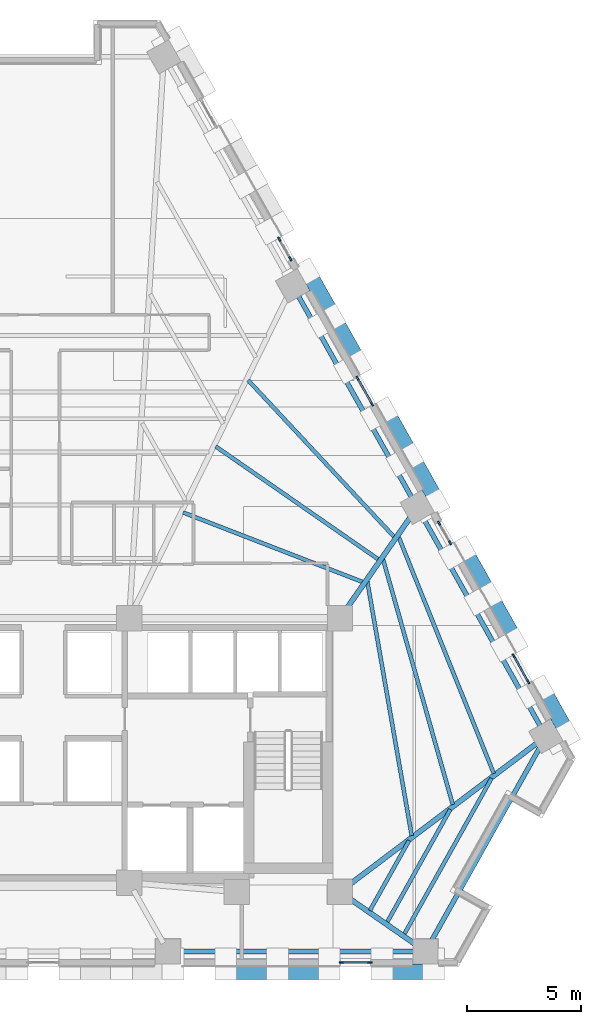
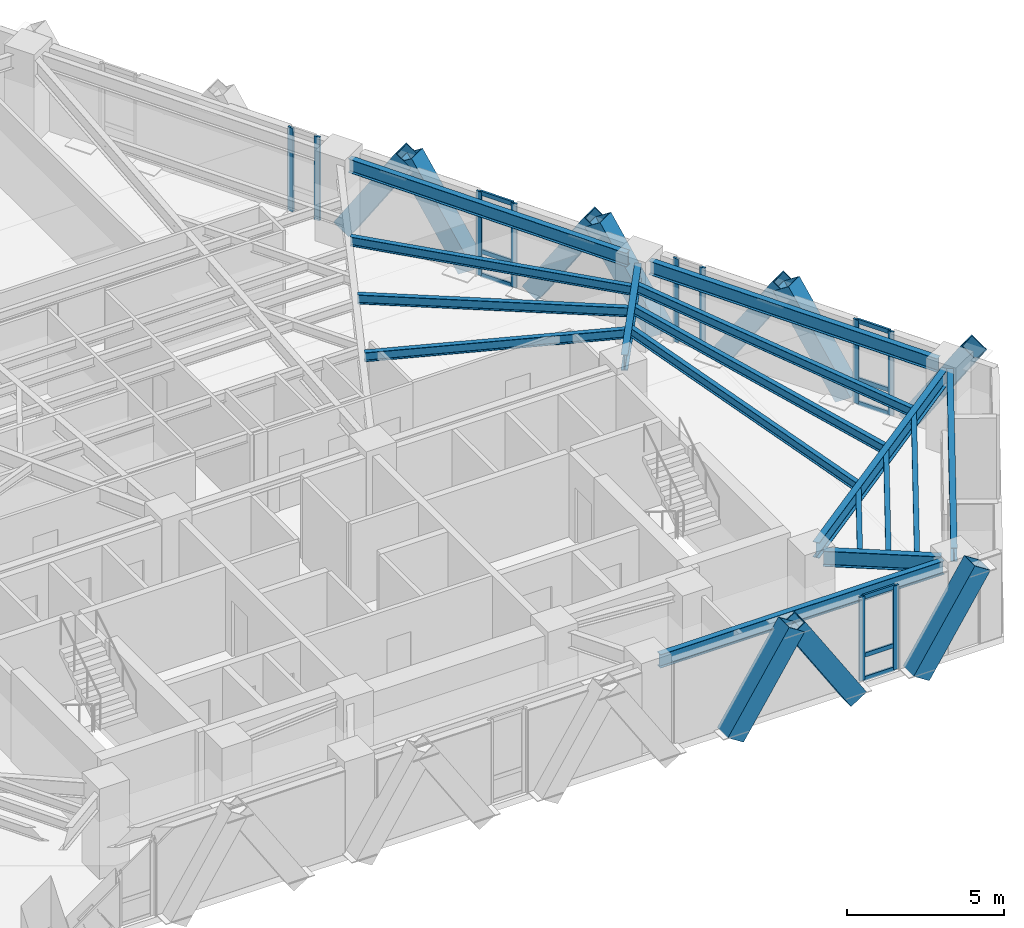
# One storey, part 4 of 13: 29 members, 16 beams, 5 elements without a shape of their own.
"""IFC4 building model written with IfcOpenShell, lengths in metres."""

from ifc_helpers import new_model, si_unit, direction, frame, origin, origin_2d, place, context, subcontext, project, spatial, rectangle, hollow_rectangle, i_section, extrude, material, material_profile, profile_set, type_object, element, aggregate, save


model = new_model("IFC4")

# Units and contexts
model_context = context("Model", 3, precision=1e-05, world=origin(), true_north=direction((0.0, 1.0)))
body_context = subcontext(model_context, "Body", "Model", "MODEL_VIEW")
ifc_project = project(units=[si_unit("LENGTHUNIT", "METRE"), si_unit("AREAUNIT", "SQUARE_METRE"), si_unit("VOLUMEUNIT", "CUBIC_METRE"), si_unit("PLANEANGLEUNIT", "RADIAN"), si_unit("MASSUNIT", "GRAM", prefix="KILO")], contexts=[model_context])

# Site, building, storey
site_placement = place(None, origin())
site = spatial("IfcSite", under=ifc_project, at=site_placement, CompositionType="ELEMENT")
building_placement = place(site_placement, origin())
building = spatial("IfcBuilding", under=site, at=building_placement, Name="Quenlor Broadcast Tower", CompositionType="ELEMENT")
storey_placement = place(building_placement, frame((0.0, 0.0, 83.60009765625)))
storey = spatial("IfcBuildingStorey", under=building, at=storey_placement, Name="L22", CompositionType="ELEMENT", Elevation=83.60009765625)

# Curtain wall, members
ifc_material_1 = material(Name="Architectural Terracotta and Low-E Glazing", Category="masonry")
curtain_wall_type = type_object("IfcCurtainWallType", Name="Unitised Terracotta Curtain Wall System Z2", PredefinedType="NOTDEFINED", material=ifc_material_1)
curtain_wall_1_placement = place(storey_placement, origin())
curtain_wall_1 = element("IfcCurtainWall", 1, at=curtain_wall_1_placement, inside=storey, type_object=curtain_wall_type, Name="L22 Curtain Wall CW2 (L22-SA-G1)", PredefinedType="NOTDEFINED")
ifc_material_2 = material(Name="Aluminium 6063-T6", Category="aluminium")
ifc_material_profile_1 = material_profile(ifc_material_2, rectangle(XDim=0.074951171875, YDim=0.199951171875, at=origin_2d()))
ifc_profile_set_1 = profile_set([ifc_material_profile_1], Name="Aluminium 6063-T6 MULL75x200")
member_type_1 = type_object("IfcMemberType", Name="CW2 Aluminium Mullion MULL_CW2", PredefinedType="MULLION", material=ifc_profile_set_1)
member_1_placement = place(storey_placement, frame((14.254150390625, -19.840087890625, 0.0), z_axis=(0.0, 0.0, 1.0), x_axis=(0.0, -1.0, 0.0)))
member_1 = element("IfcMember", 2, at=member_1_placement, type_object=member_type_1, Name="CW2 mullion 1", PredefinedType="MULLION", context=body_context, shape_type="SweptSolid", body=[
    extrude(rectangle(XDim=0.074951171875, YDim=0.199951171875, at=origin_2d()), origin(), (0.0, 0.0, 1.0), 3.25),
])
member_2_placement = place(storey_placement, frame((13.01611328125, -19.840087890625, 0.0), z_axis=(0.0, 0.0, 1.0), x_axis=(0.0, -1.0, 0.0)))
member_2 = element("IfcMember", 3, at=member_2_placement, type_object=member_type_1, Name="CW2 mullion 2", PredefinedType="MULLION", context=body_context, shape_type="SweptSolid", body=[
    extrude(rectangle(XDim=0.074951171875, YDim=0.199951171875, at=origin_2d()), origin(), (0.0, 0.0, 1.0), 3.25),
])

curtain_wall_2_placement = place(storey_placement, origin())
curtain_wall_2 = element("IfcCurtainWall", 4, at=curtain_wall_2_placement, inside=storey, type_object=curtain_wall_type, Name="L22 Curtain Wall CW2 (L22-NEA-G2)", PredefinedType="NOTDEFINED")
member_3_placement = place(storey_placement, frame((10.306396484375, 11.751220703125, 0.0), z_axis=(0.0, 0.0, 1.0), x_axis=(0.871580587336, 0.490252261371, 0.0)))
member_3 = element("IfcMember", 5, at=member_3_placement, type_object=member_type_1, Name="CW2 mullion 1", PredefinedType="MULLION", context=body_context, shape_type="SweptSolid", body=[
    extrude(rectangle(XDim=0.074951171875, YDim=0.199951171875, at=origin_2d()), origin(), (0.0, 0.0, 1.0), 3.25),
])
member_4_placement = place(storey_placement, frame((10.7880859375, 10.894775390625, 0.0), z_axis=(0.0, 0.0, 1.0), x_axis=(0.871580587336, 0.490252261371, 0.0)))
member_4 = element("IfcMember", 6, at=member_4_placement, type_object=member_type_1, Name="CW2 mullion 2", PredefinedType="MULLION", context=body_context, shape_type="SweptSolid", body=[
    extrude(rectangle(XDim=0.074951171875, YDim=0.199951171875, at=origin_2d()), origin(), (0.0, 0.0, 1.0), 3.25),
])
aggregate(curtain_wall_2, [member_3, member_4])

curtain_wall_3_placement = place(storey_placement, origin())
curtain_wall_3 = element("IfcCurtainWall", 7, at=curtain_wall_3_placement, inside=storey, type_object=curtain_wall_type, Name="L22 Curtain Wall CW2 (L22-NEC-G1)", PredefinedType="NOTDEFINED")
member_5_placement = place(storey_placement, frame((17.282958984375, -0.651611328125, 0.0), z_axis=(0.0, 0.0, 1.0), x_axis=(0.871580587336, 0.490252261371, 0.0)))
member_5 = element("IfcMember", 8, at=member_5_placement, type_object=member_type_1, Name="CW2 mullion 1", PredefinedType="MULLION", context=body_context, shape_type="SweptSolid", body=[
    extrude(rectangle(XDim=0.074951171875, YDim=0.199951171875, at=origin_2d()), origin(), (0.0, 0.0, 1.0), 3.25),
])
member_6_placement = place(storey_placement, frame((17.7646484375, -1.508056640625, 0.0), z_axis=(0.0, 0.0, 1.0), x_axis=(0.871580587336, 0.490252261371, 0.0)))
member_6 = element("IfcMember", 9, at=member_6_placement, type_object=member_type_1, Name="CW2 mullion 2", PredefinedType="MULLION", context=body_context, shape_type="SweptSolid", body=[
    extrude(rectangle(XDim=0.074951171875, YDim=0.199951171875, at=origin_2d()), origin(), (0.0, 0.0, 1.0), 3.25),
])
aggregate(curtain_wall_3, [member_5, member_6])

curtain_wall_4_placement = place(storey_placement, origin())
curtain_wall_4 = element("IfcCurtainWall", 10, at=curtain_wall_4_placement, inside=storey, type_object=curtain_wall_type, Name="L22 Curtain Wall CW2 (L22-NEC-G2)", PredefinedType="NOTDEFINED")
member_7_placement = place(storey_placement, frame((20.545654296875, -6.451904296875, 0.0), z_axis=(0.0, 0.0, 1.0), x_axis=(0.871565749621, 0.490278639232, 0.0)))
member_7 = element("IfcMember", 11, at=member_7_placement, type_object=member_type_1, Name="CW2 mullion 1", PredefinedType="MULLION", context=body_context, shape_type="SweptSolid", body=[
    extrude(rectangle(XDim=0.074951171875, YDim=0.199951171875, at=origin_2d()), origin(), (0.0, 0.0, 1.0), 3.25),
])
member_8_placement = place(storey_placement, frame((21.177734375, -7.57568359375, 0.0), z_axis=(0.0, 0.0, 1.0), x_axis=(0.871565749621, 0.490278639232, 0.0)))
member_8 = element("IfcMember", 12, at=member_8_placement, type_object=member_type_1, Name="CW2 mullion 2", PredefinedType="MULLION", context=body_context, shape_type="SweptSolid", body=[
    extrude(rectangle(XDim=0.074951171875, YDim=0.199951171875, at=origin_2d()), origin(), (0.0, 0.0, 1.0), 3.25),
])

curtain_wall_5_placement = place(storey_placement, origin())
curtain_wall_5 = element("IfcCurtainWall", 13, at=curtain_wall_5_placement, inside=storey, type_object=curtain_wall_type, Name="L22 Curtain Wall CW2 (L22-NE-G1)", PredefinedType="NOTDEFINED")
member_9_placement = place(storey_placement, frame((13.719482421875, 5.683349609375, 0.0), z_axis=(0.0, 0.0, 1.0), x_axis=(0.871579452423, 0.490254279037, 0.0)))
member_9 = element("IfcMember", 14, at=member_9_placement, type_object=member_type_1, Name="CW2 mullion 1", PredefinedType="MULLION", context=body_context, shape_type="SweptSolid", body=[
    extrude(rectangle(XDim=0.074951171875, YDim=0.199951171875, at=origin_2d()), origin(), (0.0, 0.0, 1.0), 3.25),
])
member_10_placement = place(storey_placement, frame((14.3515625, 4.559814453125, 0.0), z_axis=(0.0, 0.0, 1.0), x_axis=(0.871579452423, 0.490254279037, 0.0)))
member_10 = element("IfcMember", 15, at=member_10_placement, type_object=member_type_1, Name="CW2 mullion 2", PredefinedType="MULLION", context=body_context, shape_type="SweptSolid", body=[
    extrude(rectangle(XDim=0.074951171875, YDim=0.199951171875, at=origin_2d()), origin(), (0.0, 0.0, 1.0), 3.25),
])

# Member
ifc_material_3 = material(Name="Aluminium 6063-T6", Category="aluminium")
ifc_material_profile_2 = material_profile(ifc_material_3, rectangle(XDim=0.074951171875, YDim=0.1650390625, at=origin_2d()))
ifc_profile_set_2 = profile_set([ifc_material_profile_2], Name="Aluminium 6063-T6 TRAN75x165")
member_type_2 = type_object("IfcMemberType", Name="CW2 Aluminium Transom TRAN_CW2", PredefinedType="USERDEFINED", material=ifc_profile_set_2)
member_11_placement = place(storey_placement, frame((14.216796875, -19.840087890625, 0.037353515625), z_axis=(-1.0, 0.0, 0.0), x_axis=(0.0, -1.0, 0.0)))
member_11 = element("IfcMember", 16, at=member_11_placement, type_object=member_type_2, Name="CW2 transom 1.1", ObjectType="TRANSOM", PredefinedType="USERDEFINED", context=body_context, shape_type="SweptSolid", body=[
    extrude(rectangle(XDim=0.074951171875, YDim=0.1650390625, at=origin_2d()), origin(), (0.0, 0.0, 1.0), 1.1630859375),
])

member_12_placement = place(storey_placement, frame((14.216796875, -19.840087890625, 0.949951171875), z_axis=(-1.0, 0.0, 0.0), x_axis=(0.0, -1.0, 0.0)))
member_12 = element("IfcMember", 17, at=member_12_placement, type_object=member_type_2, Name="CW2 transom 1.2", ObjectType="TRANSOM", PredefinedType="USERDEFINED", context=body_context, shape_type="SweptSolid", body=[
    extrude(rectangle(XDim=0.074951171875, YDim=0.1650390625, at=origin_2d()), origin(), (0.0, 0.0, 1.0), 1.1630859375),
])

member_13_placement = place(storey_placement, frame((14.216796875, -19.840087890625, 3.21240234375), z_axis=(-1.0, 0.0, 0.0), x_axis=(0.0, -1.0, 0.0)))
member_13 = element("IfcMember", 18, at=member_13_placement, type_object=member_type_2, Name="CW2 transom 1.3", ObjectType="TRANSOM", PredefinedType="USERDEFINED", context=body_context, shape_type="SweptSolid", body=[
    extrude(rectangle(XDim=0.074951171875, YDim=0.1650390625, at=origin_2d()), origin(), (0.0, 0.0, 1.0), 1.1630859375),
])

aggregate(curtain_wall_1, [member_1, member_2, member_11, member_12, member_13])

member_14_placement = place(storey_placement, frame((20.56396484375, -6.484619140625, 0.037353515625), z_axis=(0.490347143438, -0.871527210661, 0.0), x_axis=(0.871527210661, 0.490347143438, 0.0)))
member_14 = element("IfcMember", 19, at=member_14_placement, type_object=member_type_2, Name="CW2 transom 1.1", ObjectType="TRANSOM", PredefinedType="USERDEFINED", context=body_context, shape_type="SweptSolid", body=[
    extrude(rectangle(XDim=0.074951171875, YDim=0.1650390625, at=origin_2d()), origin(), (0.0, 0.0, 1.0), 1.21435546875),
])

member_15_placement = place(storey_placement, frame((20.56396484375, -6.484619140625, 0.949951171875), z_axis=(0.490347143438, -0.871527210661, 0.0), x_axis=(0.871527210661, 0.490347143438, 0.0)))
member_15 = element("IfcMember", 20, at=member_15_placement, type_object=member_type_2, Name="CW2 transom 1.2", ObjectType="TRANSOM", PredefinedType="USERDEFINED", context=body_context, shape_type="SweptSolid", body=[
    extrude(rectangle(XDim=0.074951171875, YDim=0.1650390625, at=origin_2d()), origin(), (0.0, 0.0, 1.0), 1.21435546875),
])

member_16_placement = place(storey_placement, frame((20.56396484375, -6.484619140625, 3.21240234375), z_axis=(0.490347143438, -0.871527210661, 0.0), x_axis=(0.871527210661, 0.490347143438, 0.0)))
member_16 = element("IfcMember", 21, at=member_16_placement, type_object=member_type_2, Name="CW2 transom 1.3", ObjectType="TRANSOM", PredefinedType="USERDEFINED", context=body_context, shape_type="SweptSolid", body=[
    extrude(rectangle(XDim=0.074951171875, YDim=0.1650390625, at=origin_2d()), origin(), (0.0, 0.0, 1.0), 1.21435546875),
])

aggregate(curtain_wall_4, [member_7, member_8, member_14, member_15, member_16])

member_17_placement = place(storey_placement, frame((13.73779296875, 5.650634765625, 0.037353515625), z_axis=(0.490433072585, -0.871478858788, 0.0), x_axis=(0.871478858788, 0.490433072585, 0.0)))
member_17 = element("IfcMember", 22, at=member_17_placement, type_object=member_type_2, Name="CW2 transom 1.1", ObjectType="TRANSOM", PredefinedType="USERDEFINED", context=body_context, shape_type="SweptSolid", body=[
    extrude(rectangle(XDim=0.074951171875, YDim=0.1650390625, at=origin_2d()), origin(), (0.0, 0.0, 1.0), 1.214111328125),
])

member_18_placement = place(storey_placement, frame((13.73779296875, 5.650634765625, 0.949951171875), z_axis=(0.490433072585, -0.871478858788, 0.0), x_axis=(0.871478858788, 0.490433072585, 0.0)))
member_18 = element("IfcMember", 23, at=member_18_placement, type_object=member_type_2, Name="CW2 transom 1.2", ObjectType="TRANSOM", PredefinedType="USERDEFINED", context=body_context, shape_type="SweptSolid", body=[
    extrude(rectangle(XDim=0.074951171875, YDim=0.1650390625, at=origin_2d()), origin(), (0.0, 0.0, 1.0), 1.214111328125),
])

member_19_placement = place(storey_placement, frame((13.73779296875, 5.650634765625, 3.21240234375), z_axis=(0.490433072585, -0.871478858788, 0.0), x_axis=(0.871478858788, 0.490433072585, 0.0)))
member_19 = element("IfcMember", 24, at=member_19_placement, type_object=member_type_2, Name="CW2 transom 1.3", ObjectType="TRANSOM", PredefinedType="USERDEFINED", context=body_context, shape_type="SweptSolid", body=[
    extrude(rectangle(XDim=0.074951171875, YDim=0.1650390625, at=origin_2d()), origin(), (0.0, 0.0, 1.0), 1.214111328125),
])

aggregate(curtain_wall_5, [member_9, member_10, member_17, member_18, member_19])

# Members
ifc_material_4 = material(Name="Steel S355", Category="steel")
ifc_material_profile_3 = material_profile(ifc_material_4, hollow_rectangle(XDim=0.679931640625, YDim=0.679931640625, WallThickness=0.030029296875, at=origin_2d()))
ifc_profile_set_3 = profile_set([ifc_material_profile_3], Name="Steel S355 RHS680x680x30")
member_type_3 = type_object("IfcMemberType", Name="Perimeter Diagonal Lattice Brace Z2 Steel S355 RHS680x30", PredefinedType="BRACE", material=ifc_profile_set_3)
for number, where, z_axis, x_axis, name in (
    (25, (12.4853515625, -20.235107421875, -0.1201171875), (-0.539968035679, 0.0, 0.841685523485), (0.0, -1.0, 0.0), "L22 Perimeter Diamond Lattice S-C1S"),
    (26, (14.78515625, -20.235107421875, -0.1201171875), (0.539968035679, 0.0, 0.841685523485), (0.0, 1.0, 0.0), "L22 Perimeter Diamond Lattice S-C1B"),
    (27, (7.967529296875, -20.235107421875, -0.1201171875), (0.539968035679, 0.0, 0.841685523485), (0.0, 1.0, 0.0), "L22 Perimeter Diamond Lattice S-C2B"),
):
    element("IfcMember", number, at=place(storey_placement, frame(where, z_axis=z_axis, x_axis=x_axis)), inside=storey, type_object=member_type_3, Name=name, PredefinedType="BRACE", context=body_context, shape_type="SweptSolid", body=[
        extrude(hollow_rectangle(XDim=0.679931640625, YDim=0.679931640625, WallThickness=0.030029296875, at=origin_2d()), origin(), (0.0, 0.0, 1.0), 4.158203125),
    ])
member_20_placement = place(storey_placement, frame((11.54248046875, 10.359619140625, -0.1201171875), z_axis=(0.268634887212, -0.477637964099, 0.83647909276), x_axis=(0.871603971106, 0.490210686901, 0.0)))
element("IfcMember", 28, at=member_20_placement, inside=storey, type_object=member_type_3, Name="L22 Perimeter Diamond Lattice NE-C2S", PredefinedType="BRACE", context=body_context, shape_type="SweptSolid", body=[
    extrude(hollow_rectangle(XDim=0.679931640625, YDim=0.679931640625, WallThickness=0.030029296875, at=origin_2d()), origin(), (0.0, 0.0, 1.0), 4.184326171875),
])
for number, where, z_axis, x_axis, name in (
    (29, (14.955322265625, 4.291748046875, -0.1201171875), (0.268696511206, -0.477585438485, 0.836489290913), (0.871532878923, 0.490337068716, 0.0), "L22 Perimeter Diamond Lattice NE-C3S"),
    (30, (13.80419921875, 6.338623046875, -0.1201171875), (-0.268642373731, 0.477592925498, 0.83650240439), (-0.871578380919, -0.490256183964, 0.0), "L22 Perimeter Diamond Lattice NE-C3B"),
    (31, (18.368408203125, -1.77587890625, -0.1201171875), (0.268696511206, -0.477585438485, 0.836489290913), (0.871532878923, 0.490337068716, 0.0), "L22 Perimeter Diamond Lattice NE-C4S"),
    (32, (17.21728515625, 0.27099609375, -0.1201171875), (-0.268696511206, 0.477585438485, 0.836489290913), (-0.871532878923, -0.490337068716, 0.0), "L22 Perimeter Diamond Lattice NE-C4B"),
    (33, (21.781494140625, -7.843505859375, -0.1201171875), (0.268696511206, -0.477585438485, 0.836489290913), (0.871532878923, 0.490337068716, 0.0), "L22 Perimeter Diamond Lattice NE-C5S"),
    (34, (20.63037109375, -5.796630859375, -0.1201171875), (-0.268696511206, 0.477585438485, 0.836489290913), (-0.871532878923, -0.490337068716, 0.0), "L22 Perimeter Diamond Lattice NE-C5B"),
):
    element("IfcMember", number, at=place(storey_placement, frame(where, z_axis=z_axis, x_axis=x_axis)), inside=storey, type_object=member_type_3, Name=name, PredefinedType="BRACE", context=body_context, shape_type="SweptSolid", body=[
        extrude(hollow_rectangle(XDim=0.679931640625, YDim=0.679931640625, WallThickness=0.030029296875, at=origin_2d()), origin(), (0.0, 0.0, 1.0), 4.18408203125),
    ])

# Beams
ifc_material_5 = material(Name="Steel S355", Category="steel")
ifc_material_profile_4 = material_profile(ifc_material_5, i_section(OverallWidth=0.208984375, OverallDepth=0.5283203125, WebThickness=0.009521484375, FlangeThickness=0.01318359375, FilletRadius=0.013916015625, at=origin_2d()))
ifc_profile_set_4 = profile_set([ifc_material_profile_4], Name="Steel S355 530UB82.0")
beam_type_1 = type_object("IfcBeamType", Name="Perimeter Spandrel Beam Z2 Steel S355 530UB82.0", PredefinedType="SPANDREL", material=ifc_profile_set_4)
beam_1_placement = place(storey_placement, frame((5.853271484375, -19.35009765625, 2.98583984375), z_axis=(1.0, 0.0, 0.0), x_axis=(0.0, 1.0, 0.0)))
element("IfcBeam", 35, at=beam_1_placement, inside=storey, type_object=beam_type_1, Name="L22 Spandrel Beam S3-S4", PredefinedType="SPANDREL", context=body_context, shape_type="SweptSolid", body=[
    extrude(i_section(OverallWidth=0.208984375, OverallDepth=0.5283203125, WebThickness=0.009521484375, FlangeThickness=0.01318359375, FilletRadius=0.013916015625, at=origin_2d()), origin(), (0.0, 0.0, 1.0), 10.42919921875),
])
beam_2_placement = place(storey_placement, frame((16.892822265625, -18.9921875, 2.98583984375), z_axis=(0.488749102779, 0.872424389006, 0.0), x_axis=(-0.872424389006, 0.488749102779, 0.0)))
element("IfcBeam", 36, at=beam_2_placement, inside=storey, type_object=beam_type_1, Name="L22 Spandrel Beam S4-NE1", PredefinedType="SPANDREL", context=body_context, shape_type="SweptSolid", body=[
    extrude(i_section(OverallWidth=0.208984375, OverallDepth=0.5283203125, WebThickness=0.009521484375, FlangeThickness=0.01318359375, FilletRadius=0.013916015625, at=origin_2d()), origin(), (0.0, 0.0, 1.0), 9.947021484375),
])
beam_3_placement = place(storey_placement, frame((21.753662109375, -9.59912109375, 2.98583984375), z_axis=(-0.490263415828, 0.871574313011, 0.0), x_axis=(-0.871574313011, -0.490263415828, 0.0)))
element("IfcBeam", 37, at=beam_3_placement, inside=storey, type_object=beam_type_1, Name="L22 Spandrel Beam NE1-NE2", PredefinedType="SPANDREL", context=body_context, shape_type="SweptSolid", body=[
    extrude(i_section(OverallWidth=0.208984375, OverallDepth=0.5283203125, WebThickness=0.009521484375, FlangeThickness=0.01318359375, FilletRadius=0.013916015625, at=origin_2d()), origin(), (0.0, 0.0, 1.0), 10.65283203125),
])
beam_4_placement = place(storey_placement, frame((16.129150390625, 0.400146484375, 2.98583984375), z_axis=(-0.49026462139, 0.871573634878, 0.0), x_axis=(-0.871573634878, -0.49026462139, 0.0)))
element("IfcBeam", 38, at=beam_4_placement, inside=storey, type_object=beam_type_1, Name="L22 Spandrel Beam NE2-NE3", PredefinedType="SPANDREL", context=body_context, shape_type="SweptSolid", body=[
    extrude(i_section(OverallWidth=0.208984375, OverallDepth=0.5283203125, WebThickness=0.009521484375, FlangeThickness=0.01318359375, FilletRadius=0.013916015625, at=origin_2d()), origin(), (0.0, 0.0, 1.0), 10.28271484375),
])
ifc_material_6 = material(Name="Steel S355", Category="steel")
ifc_material_profile_5 = material_profile(ifc_material_6, i_section(OverallWidth=0.172119140625, OverallDepth=0.358642578125, WebThickness=0.008056640625, FlangeThickness=0.012939453125, FilletRadius=0.011474609375, at=origin_2d()))
ifc_profile_set_5 = profile_set([ifc_material_profile_5], Name="Steel S355 360UB56.7")
beam_type_2 = type_object("IfcBeamType", Name="Tower Composite Joist Z2-Z3 Steel S355 360UB56.7", PredefinedType="JOIST", material=ifc_profile_set_5)
beam_5_placement = place(storey_placement, frame((13.95703125, -3.221435546875, 3.070556640625), z_axis=(-0.932542579586, 0.361060018916, 0.0), x_axis=(-0.361060018916, -0.932542579586, 0.0)))
element("IfcBeam", 39, at=beam_5_placement, inside=storey, type_object=beam_type_2, Name="L22 Secondary Composite Joist 10", PredefinedType="JOIST", context=body_context, shape_type="SweptSolid", body=[
    extrude(i_section(OverallWidth=0.172119140625, OverallDepth=0.358642578125, WebThickness=0.008056640625, FlangeThickness=0.012939453125, FilletRadius=0.011474609375, at=origin_2d()), origin(), (0.0, 0.0, 1.0), 8.416259765625),
])
beam_6_placement = place(storey_placement, frame((14.641845703125, -2.236083984375, 3.070556640625), z_axis=(-0.821385737622, 0.570373097219, 0.0), x_axis=(-0.570373097219, -0.821385737622, 0.0)))
element("IfcBeam", 40, at=beam_6_placement, inside=storey, type_object=beam_type_2, Name="L22 Secondary Composite Joist 11", PredefinedType="JOIST", context=body_context, shape_type="SweptSolid", body=[
    extrude(i_section(OverallWidth=0.172119140625, OverallDepth=0.358642578125, WebThickness=0.008056640625, FlangeThickness=0.012939453125, FilletRadius=0.011474609375, at=origin_2d()), origin(), (0.0, 0.0, 1.0), 8.662109375),
])
beam_7_placement = place(storey_placement, frame((15.3291015625, -1.254638671875, 3.070556640625), z_axis=(-0.681880655944, 0.73146344478, 0.0), x_axis=(-0.73146344478, -0.681880655944, 0.0)))
element("IfcBeam", 41, at=beam_7_placement, inside=storey, type_object=beam_type_2, Name="L22 Secondary Composite Joist 12", PredefinedType="JOIST", context=body_context, shape_type="SweptSolid", body=[
    extrude(i_section(OverallWidth=0.172119140625, OverallDepth=0.358642578125, WebThickness=0.008056640625, FlangeThickness=0.012939453125, FilletRadius=0.011474609375, at=origin_2d()), origin(), (0.0, 0.0, 1.0), 9.365234375),
])
beam_8_placement = place(storey_placement, frame((16.087890625, -14.29345703125, 3.070556640625), z_axis=(-0.172120396521, 0.985075920476, 0.0), x_axis=(-0.985075920476, -0.172120396521, 0.0)))
element("IfcBeam", 42, at=beam_8_placement, inside=storey, type_object=beam_type_2, Name="L22 Secondary Composite Joist 16", PredefinedType="JOIST", context=body_context, shape_type="SweptSolid", body=[
    extrude(i_section(OverallWidth=0.172119140625, OverallDepth=0.358642578125, WebThickness=0.008056640625, FlangeThickness=0.012939453125, FilletRadius=0.011474609375, at=origin_2d()), origin(), (0.0, 0.0, 1.0), 11.27783203125),
])
beam_9_placement = place(storey_placement, frame((17.880615234375, -12.9365234375, 3.070556640625), z_axis=(-0.273563993601, 0.96185380459, 0.0), x_axis=(-0.96185380459, -0.273563993601, 0.0)))
element("IfcBeam", 43, at=beam_9_placement, inside=storey, type_object=beam_type_2, Name="L22 Secondary Composite Joist 17", PredefinedType="JOIST", context=body_context, shape_type="SweptSolid", body=[
    extrude(i_section(OverallWidth=0.172119140625, OverallDepth=0.358642578125, WebThickness=0.008056640625, FlangeThickness=0.012939453125, FilletRadius=0.011474609375, at=origin_2d()), origin(), (0.0, 0.0, 1.0), 11.1484375),
])
beam_10_placement = place(storey_placement, frame((19.673583984375, -11.580810546875, 3.070556640625), z_axis=(-0.373180395983, 0.92775880058, 0.0), x_axis=(-0.92775880058, -0.373180395983, 0.0)))
element("IfcBeam", 44, at=beam_10_placement, inside=storey, type_object=beam_type_2, Name="L22 Secondary Composite Joist 18", PredefinedType="JOIST", context=body_context, shape_type="SweptSolid", body=[
    extrude(i_section(OverallWidth=0.172119140625, OverallDepth=0.358642578125, WebThickness=0.008056640625, FlangeThickness=0.012939453125, FilletRadius=0.011474609375, at=origin_2d()), origin(), (0.0, 0.0, 1.0), 11.143798828125),
])
beam_11_placement = place(storey_placement, frame((14.261474609375, -17.564208984375, 3.070556640625), z_axis=(0.488730779643, 0.87243465373, 0.0), x_axis=(-0.87243465373, 0.488730779643, 0.0)))
element("IfcBeam", 45, at=beam_11_placement, inside=storey, type_object=beam_type_2, Name="L22 Secondary Composite Joist 22", PredefinedType="JOIST", context=body_context, shape_type="SweptSolid", body=[
    extrude(i_section(OverallWidth=0.172119140625, OverallDepth=0.358642578125, WebThickness=0.008056640625, FlangeThickness=0.012939453125, FilletRadius=0.011474609375, at=origin_2d()), origin(), (0.0, 0.0, 1.0), 3.500732421875),
])
beam_12_placement = place(storey_placement, frame((15.010009765625, -18.084228515625, 3.070556640625), z_axis=(0.488741419435, 0.87242869332, 0.0), x_axis=(-0.87242869332, 0.488741419435, 0.0)))
element("IfcBeam", 46, at=beam_12_placement, inside=storey, type_object=beam_type_2, Name="L22 Secondary Composite Joist 23", PredefinedType="JOIST", context=body_context, shape_type="SweptSolid", body=[
    extrude(i_section(OverallWidth=0.172119140625, OverallDepth=0.358642578125, WebThickness=0.008056640625, FlangeThickness=0.012939453125, FilletRadius=0.011474609375, at=origin_2d()), origin(), (0.0, 0.0, 1.0), 5.654052734375),
])
beam_13_placement = place(storey_placement, frame((15.758544921875, -18.604248046875, 3.070556640625), z_axis=(0.488732857155, 0.872433489922, 0.0), x_axis=(-0.872433489922, 0.488732857155, 0.0)))
element("IfcBeam", 47, at=beam_13_placement, inside=storey, type_object=beam_type_2, Name="L22 Secondary Composite Joist 24", PredefinedType="JOIST", context=body_context, shape_type="SweptSolid", body=[
    extrude(i_section(OverallWidth=0.172119140625, OverallDepth=0.358642578125, WebThickness=0.008056640625, FlangeThickness=0.012939453125, FilletRadius=0.011474609375, at=origin_2d()), origin(), (0.0, 0.0, 1.0), 7.807861328125),
])
ifc_material_7 = material(Name="Steel S355", Category="steel")
ifc_material_profile_6 = material_profile(ifc_material_7, i_section(OverallWidth=0.22802734375, OverallDepth=0.60205078125, WebThickness=0.010498046875, FlangeThickness=0.014892578125, FilletRadius=0.013916015625, at=origin_2d()))
ifc_profile_set_6 = profile_set([ifc_material_profile_6], Name="Steel S355 610UB101")
beam_type_3 = type_object("IfcBeamType", Name="Tower Primary Floor Beam Z2 Steel S355 610UB101", PredefinedType="BEAM", material=ifc_profile_set_6)
beam_14_placement = place(storey_placement, frame((16.355712890625, -19.1162109375, 2.948974609375), z_axis=(-0.821227395059, 0.570601056436, 0.0), x_axis=(-0.570601056436, -0.821227395059, 0.0)))
element("IfcBeam", 48, at=beam_14_placement, inside=storey, type_object=beam_type_3, Name="L22 Primary Radial Beam S4", PredefinedType="BEAM", context=body_context, shape_type="SweptSolid", body=[
    extrude(i_section(OverallWidth=0.22802734375, OverallDepth=0.60205078125, WebThickness=0.010498046875, FlangeThickness=0.014892578125, FilletRadius=0.013916015625, at=origin_2d()), origin(), (0.0, 0.0, 1.0), 3.766845703125),
])
beam_15_placement = place(storey_placement, frame((21.62744140625, -10.203369140625, 2.948974609375), z_axis=(-0.798298724007, -0.602261693327, 0.0), x_axis=(0.602261693327, -0.798298724007, 0.0)))
element("IfcBeam", 49, at=beam_15_placement, inside=storey, type_object=beam_type_3, Name="L22 Primary Radial Beam NE1", PredefinedType="BEAM", context=body_context, shape_type="SweptSolid", body=[
    extrude(i_section(OverallWidth=0.22802734375, OverallDepth=0.60205078125, WebThickness=0.010498046875, FlangeThickness=0.014892578125, FilletRadius=0.013916015625, at=origin_2d()), origin(), (0.0, 0.0, 1.0), 10.48974609375),
])
beam_16_placement = place(storey_placement, frame((16.095458984375, -0.293212890625, 2.948974609375), z_axis=(-0.572337599985, -0.820018092266, 0.0), x_axis=(0.820018092266, -0.572337599985, 0.0)))
element("IfcBeam", 50, at=beam_16_placement, inside=storey, type_object=beam_type_3, Name="L22 Primary Radial Beam NE2", PredefinedType="BEAM", context=body_context, shape_type="SweptSolid", body=[
    extrude(i_section(OverallWidth=0.22802734375, OverallDepth=0.60205078125, WebThickness=0.010498046875, FlangeThickness=0.014892578125, FilletRadius=0.013916015625, at=origin_2d()), origin(), (0.0, 0.0, 1.0), 5.11572265625),
])

save(model, "model.ifc")
